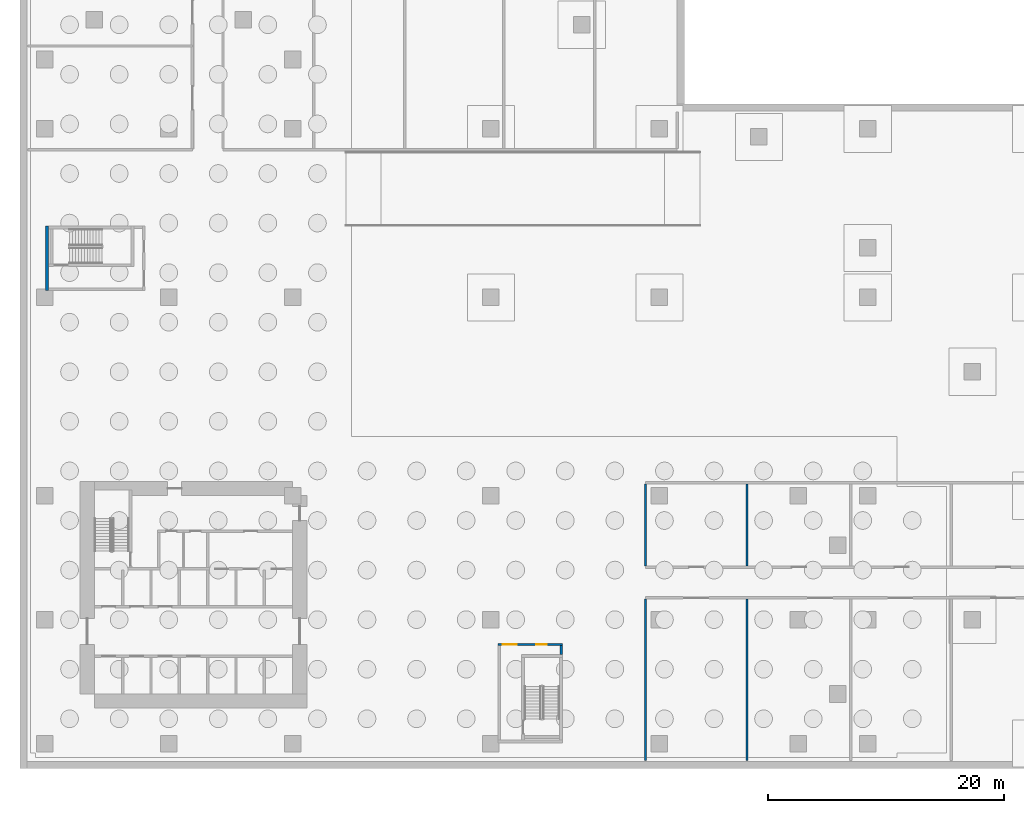
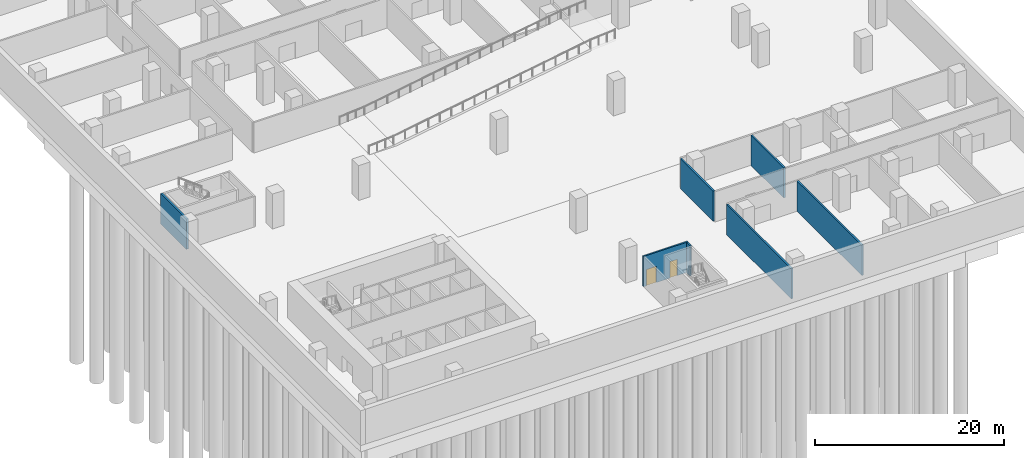
# One storey, part 5 of 13: 7 walls, 2 doors, 2 openings.
"""IFC4 building model written with IfcOpenShell, lengths in metres."""

from ifc_helpers import new_model, si_unit, direction, frame, frame_2d, origin, place, context, subcontext, project, spatial, rectangle, extrude, source, transform, mapped, material, layer, layer_set, type_object, element, fill, save


model = new_model("IFC4")

# Units and contexts
model_context = context("Model", 3, precision=1e-05, world=origin(), true_north=direction((0.0, 1.0)))
body_context = subcontext(model_context, "Body", "Model", "MODEL_VIEW")
ifc_project = project(units=[si_unit("LENGTHUNIT", "METRE"), si_unit("AREAUNIT", "SQUARE_METRE"), si_unit("VOLUMEUNIT", "CUBIC_METRE"), si_unit("PLANEANGLEUNIT", "RADIAN"), si_unit("MASSUNIT", "GRAM", prefix="KILO")], contexts=[model_context])

# Site, building, storey
site_placement = place(None, origin())
site = spatial("IfcSite", under=ifc_project, at=site_placement, CompositionType="ELEMENT")
building_placement = place(site_placement, origin())
building = spatial("IfcBuilding", under=site, at=building_placement, Name="Aurelian Terraces", CompositionType="ELEMENT")
storey_placement = place(building_placement, frame((0.0, 0.0, -13.5)))
storey = spatial("IfcBuildingStorey", under=building, at=storey_placement, Name="B3", CompositionType="ELEMENT", Elevation=-13.5)

# Walls
ifc_material_1 = material(Name="Gypsum board on steel studs", Category="steel")
ifc_layer_1 = layer(ifc_material_1, 0.2)
ifc_layer_set_1 = layer_set([ifc_layer_1], Name="Basement partition 200")
wall_type_1 = type_object("IfcWallType", Name="Basement partition 200", PredefinedType="PARTITIONING", material=ifc_layer_set_1)
wall_1_placement = place(storey_placement, frame((50.9, -1.44, 0.0), z_axis=(0.0, 0.0, 1.0), x_axis=(0.0, 1.0, 0.0)))
element("IfcWall", 1, at=wall_1_placement, inside=storey, type_object=wall_type_1, Name="B3 partition 029", PredefinedType="PARTITIONING", context=body_context, shape_type="SweptSolid", body=[
    extrude(rectangle(XDim=13.69, YDim=0.2, at=frame_2d((6.845, 0.0))), origin(), (0.0, 0.0, 1.0), 3.9),
])
wall_2_placement = place(storey_placement, frame((50.9, 15.05, 0.0), z_axis=(0.0, 0.0, 1.0), x_axis=(0.0, 1.0, 0.0)))
element("IfcWall", 2, at=wall_2_placement, inside=storey, type_object=wall_type_1, Name="B3 partition 030", PredefinedType="PARTITIONING", context=body_context, shape_type="SweptSolid", body=[
    extrude(rectangle(XDim=6.95, YDim=0.2, at=frame_2d((3.475, 0.0))), origin(), (0.0, 0.0, 1.0), 3.9),
])

# Wall, openings, doors
ifc_layer_2 = layer(ifc_material_1, 0.2)
ifc_layer_set_2 = layer_set([ifc_layer_2], Name="Core partition 200")
wall_type_2 = type_object("IfcWallType", Name="Core partition 200", PredefinedType="PARTITIONING", material=ifc_layer_set_2)
wall_3_placement = place(storey_placement, frame((38.4, 8.4, 0.0), z_axis=(0.0, 0.0, 1.0), x_axis=(1.0, 0.0, 0.0)))
wall_3 = element("IfcWall", 3, at=wall_3_placement, inside=storey, type_object=wall_type_2, Name="B3 core wall ST-S2-BN", PredefinedType="PARTITIONING", context=body_context, shape_type="SweptSolid", body=[
    extrude(rectangle(XDim=5.45, YDim=0.2, at=frame_2d((2.725, 0.0))), origin(), (0.0, 0.0, 1.0), 3.9),
])
opening_1_placement = place(wall_3_placement, frame((0.4, 0.0, 0.0)))
opening_1 = element("IfcOpeningElement", 4, at=opening_1_placement, cuts=wall_3, Name="Opening 60015", PredefinedType="OPENING", context=body_context, shape_type="SweptSolid", body=[
    extrude(rectangle(XDim=1.2, YDim=2.1, at=frame_2d((0.6, 1.05))), frame((0.0, 0.11, 0.0), z_axis=(0.0, -1.0, 0.0), x_axis=(1.0, 0.0, 0.0)), (0.0, 0.0, 1.0), 0.22),
])
shared_shape_1 = source(origin(), body_context, "Body", "SweptSolid", [
    extrude(rectangle(XDim=0.9, YDim=2.1, at=frame_2d((0.45, 1.05))), frame((0.0, 0.11, 0.0), z_axis=(0.0, -1.0, 0.0), x_axis=(1.0, 0.0, 0.0)), (0.0, 0.0, 1.0), 0.22),
])
opening_2_placement = place(wall_3_placement, frame((3.25, 0.0, 0.0)))
opening_2 = element("IfcOpeningElement", 5, at=opening_2_placement, cuts=wall_3, Name="Opening 60016", PredefinedType="OPENING", context=body_context, shape_type="MappedRepresentation", body=[
    mapped(shared_shape_1, transform((0.0, 0.0, 0.0), scale=1.0)),
])
ifc_material_2 = material(Name="Steel door leaf", Category="steel")
door_type_1 = type_object("IfcDoorType", Name="Core fire door 1200x2100 right", OperationType="SINGLE_SWING_RIGHT", PredefinedType="DOOR", material=ifc_material_2)
door_1_placement = place(opening_1_placement, origin())
door_1 = element("IfcDoor", 6, at=door_1_placement, inside=storey, type_object=door_type_1, Name="Vestibule door 60015", OperationType="SINGLE_SWING_RIGHT", OverallHeight=2.1, OverallWidth=1.2, PredefinedType="DOOR", context=body_context, shape_type="SweptSolid", body=[
    extrude(rectangle(XDim=1.2, YDim=2.1, at=frame_2d((0.6, 1.05))), frame((0.0, 0.025, 0.0), z_axis=(0.0, -1.0, 0.0), x_axis=(1.0, 0.0, 0.0)), (0.0, 0.0, 1.0), 0.05),
])
fill(opening_1, door_1)
door_type_2 = type_object("IfcDoorType", Name="Core riser door 900x2100", OperationType="SINGLE_SWING_LEFT", PredefinedType="DOOR", material=ifc_material_2)
shared_shape_2 = source(origin(), body_context, "Body", "SweptSolid", [
    extrude(rectangle(XDim=0.9, YDim=2.1, at=frame_2d((0.45, 1.05))), frame((0.0, 0.025, 0.0), z_axis=(0.0, -1.0, 0.0), x_axis=(1.0, 0.0, 0.0)), (0.0, 0.0, 1.0), 0.05),
])
door_2_placement = place(opening_2_placement, origin())
door_2 = element("IfcDoor", 7, at=door_2_placement, inside=storey, type_object=door_type_2, Name="Riser door 60016", OperationType="SINGLE_SWING_LEFT", OverallHeight=2.1, OverallWidth=0.9, PredefinedType="DOOR", context=body_context, shape_type="MappedRepresentation", body=[
    mapped(shared_shape_2, transform((0.0, 0.0, 0.0), scale=1.0)),
])
fill(opening_2, door_2)

# Walls
wall_4_placement = place(storey_placement, frame((43.75, 7.55, 0.0), z_axis=(0.0, 0.0, 1.0), x_axis=(0.0, 1.0, 0.0)))
element("IfcWall", 8, at=wall_4_placement, inside=storey, type_object=wall_type_2, Name="B3 core wall ST-S2-RE", PredefinedType="PARTITIONING", context=body_context, shape_type="SweptSolid", body=[
    extrude(rectangle(XDim=0.75, YDim=0.2, at=frame_2d((0.375, 0.0))), origin(), (0.0, 0.0, 1.0), 3.9),
])
ifc_material_3 = material(Name="Concrete fc' 40 MPa", Category="concrete")
ifc_layer_3 = layer(ifc_material_3, 0.25)
ifc_layer_set_3 = layer_set([ifc_layer_3], Name="Stair enclosure wall 250")
wall_type_3 = type_object("IfcWallType", Name="Stair enclosure wall 250", PredefinedType="SOLIDWALL", material=ifc_layer_set_3)
shared_shape_3 = source(origin(), body_context, "Body", "SweptSolid", [
    extrude(rectangle(XDim=5.45, YDim=0.25, at=frame_2d((2.725, 0.0))), origin(), (0.0, 0.0, 1.0), 3.9),
])
wall_5_placement = place(storey_placement, frame((0.175, 38.4, 0.0), z_axis=(0.0, 0.0, 1.0), x_axis=(0.0, 1.0, 0.0)))
element("IfcWall", 9, at=wall_5_placement, inside=storey, type_object=wall_type_3, Name="B3 core wall ST-S3-S", PredefinedType="SOLIDWALL", context=body_context, shape_type="MappedRepresentation", body=[
    mapped(shared_shape_3, transform((0.0, 0.0, 0.0), scale=1.0)),
])
shared_shape_4 = source(origin(), body_context, "Body", "SweptSolid", [
    extrude(rectangle(XDim=13.69, YDim=0.2, at=frame_2d((6.845, 0.0))), origin(), (0.0, 0.0, 1.0), 3.9),
])
wall_6_placement = place(storey_placement, frame((59.5, -1.44, 0.0), z_axis=(0.0, 0.0, 1.0), x_axis=(0.0, 1.0, 0.0)))
element("IfcWall", 10, at=wall_6_placement, inside=storey, type_object=wall_type_1, Name="B3 partition 032", PredefinedType="PARTITIONING", context=body_context, shape_type="MappedRepresentation", body=[
    mapped(shared_shape_4, transform((0.0, 0.0, 0.0), scale=1.0)),
])
shared_shape_5 = source(origin(), body_context, "Body", "SweptSolid", [
    extrude(rectangle(XDim=6.95, YDim=0.2, at=frame_2d((3.475, 0.0))), origin(), (0.0, 0.0, 1.0), 3.9),
])
wall_7_placement = place(storey_placement, frame((59.5, 15.05, 0.0), z_axis=(0.0, 0.0, 1.0), x_axis=(0.0, 1.0, 0.0)))
element("IfcWall", 11, at=wall_7_placement, inside=storey, type_object=wall_type_1, Name="B3 partition 033", PredefinedType="PARTITIONING", context=body_context, shape_type="MappedRepresentation", body=[
    mapped(shared_shape_5, transform((0.0, 0.0, 0.0), scale=1.0)),
])

save(model, "model.ifc")
